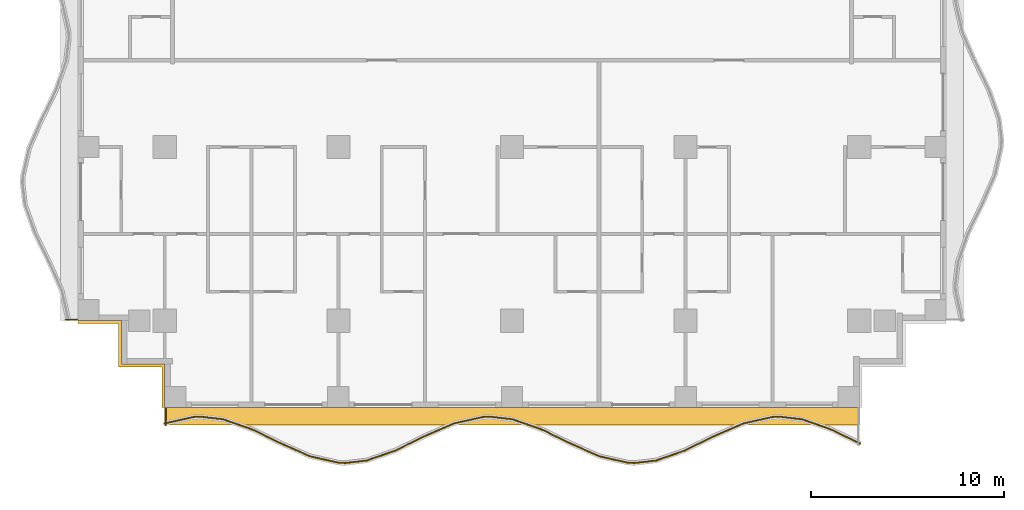
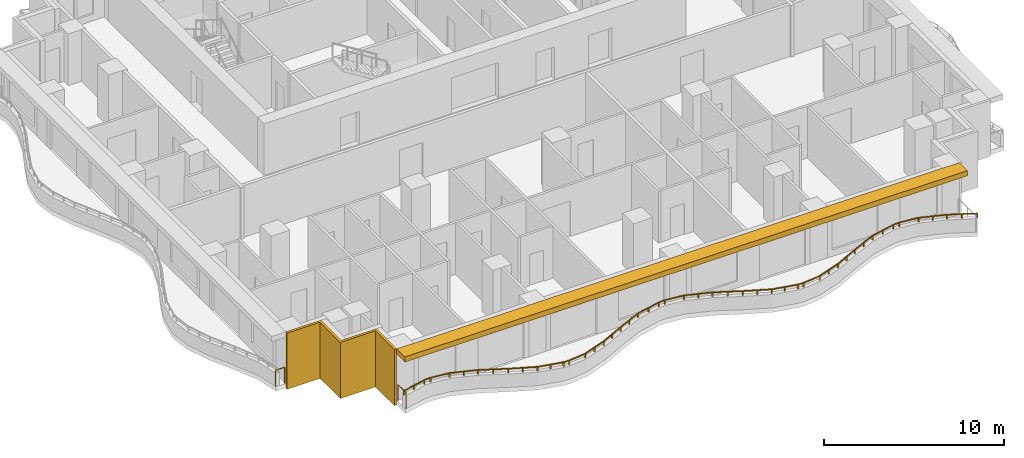
# One storey, part 7 of 10: 3 railings, 2 shading devices.
"""IFC4 building model written with IfcOpenShell, lengths in metres."""

import ifcopenshell
import ifcopenshell.guid

model = None  # the IFC model being written
_history = None  # IfcOwnerHistory: only IFC2X3 demands one
_inside = {}  # id of a spatial element -> (the spatial element, [elements in it])
_under = {}  # id of a project, library or spatial element -> (it, [spatial elements below it])
_declared = {}  # id of a project -> (the project, [libraries it declares])
_typed = {}  # id of a type object -> (the type object, [elements of that type])
_made_of = {}  # id of a material, layer set ... -> (it, [elements and type objects made of it])


def new_model(schema):
    """Start an empty IFC model of exactly this schema.

    Asked for "IFC4X3", IfcOpenShell would pick the latest addendum, in which some entities
    have other attributes; the version numbers below select the first issue.
    IFC2X3 requires an IfcOwnerHistory on every rooted entity: one is made here for all.
    """
    global model, _history
    if schema == "IFC4X3":
        model = ifcopenshell.file(schema_version=(4, 3, 0, 0))
    else:
        model = ifcopenshell.file(schema=schema)
    _inside.clear()
    _under.clear()
    _declared.clear()
    _typed.clear()
    _made_of.clear()
    _history = None
    if model.schema == "IFC2X3":
        org = make("IfcOrganization", Name="unknown")
        user = make(
            "IfcPersonAndOrganization",
            ThePerson=make("IfcPerson", FamilyName="unknown"),
            TheOrganization=org,
        )
        app = make(
            "IfcApplication",
            ApplicationDeveloper=org,
            Version="unknown",
            ApplicationFullName="unknown",
            ApplicationIdentifier="unknown",
        )
        _history = make(
            "IfcOwnerHistory",
            OwningUser=user,
            OwningApplication=app,
            ChangeAction="ADDED",
            CreationDate=0,
        )
    return model


def make(cls, **values):
    """One entity of the class cls with the attributes given. An attribute that is None is left unset."""
    return model.create_entity(
        cls, **{name: value for name, value in values.items() if value is not None}
    )


def rooted(cls, **values):
    """An entity with a GlobalId (a new one), such as an element, a storey or a relation."""
    return make(cls, GlobalId=ifcopenshell.guid.new(), OwnerHistory=_history, **values)


def si_unit(unit_type, name, prefix=None):
    """IfcSIUnit, for example si_unit("LENGTHUNIT", "METRE", prefix="MILLI")."""
    return make("IfcSIUnit", UnitType=unit_type, Prefix=prefix, Name=name)


def assignment(units):
    """IfcUnitAssignment: the units of a project."""
    return None if units is None else make("IfcUnitAssignment", Units=units)


def point(xyz):
    """IfcCartesianPoint."""
    return None if xyz is None else make("IfcCartesianPoint", Coordinates=xyz)


def direction(xyz):
    """IfcDirection."""
    return None if xyz is None else make("IfcDirection", DirectionRatios=xyz)


def frame(location, z_axis=None, x_axis=None):
    """IfcAxis2Placement3D, a coordinate frame: its origin and axes. An axis left out is left unset."""
    return make(
        "IfcAxis2Placement3D",
        Location=point(location),
        Axis=direction(z_axis),
        RefDirection=direction(x_axis),
    )


def frame_2d(location, x_axis=None):
    """IfcAxis2Placement2D, a coordinate frame in the plane: its origin and x axis."""
    return make(
        "IfcAxis2Placement2D", Location=point(location), RefDirection=direction(x_axis)
    )


def origin():
    """The frame at (0, 0, 0) with its axes left unset."""
    return frame((0.0, 0.0, 0.0))


def origin_2d():
    """The frame at (0, 0) in the plane with its x axis left unset."""
    return frame_2d((0.0, 0.0))


def place(relative_to, where):
    """IfcLocalPlacement: puts the frame where relative to a parent placement (None: the world)."""
    return make(
        "IfcLocalPlacement", PlacementRelTo=relative_to, RelativePlacement=where
    )


def context(
    kind, dimensions, precision=None, world=None, true_north=None, identifier=None
):
    """IfcGeometricRepresentationContext, for example the 3D "Model" context."""
    return make(
        "IfcGeometricRepresentationContext",
        ContextIdentifier=identifier,
        ContextType=kind,
        CoordinateSpaceDimension=dimensions,
        Precision=precision,
        WorldCoordinateSystem=world,
        TrueNorth=true_north,
    )


def subcontext(parent, identifier, kind, view, scale=None):
    """IfcGeometricRepresentationSubContext, for example "Body" below "Model"."""
    return make(
        "IfcGeometricRepresentationSubContext",
        ContextIdentifier=identifier,
        ContextType=kind,
        ParentContext=parent,
        TargetScale=scale,
        TargetView=view,
    )


def project(units=None, contexts=None):
    """IfcProject with its units and contexts."""
    return rooted(
        "IfcProject",
        Name="project",
        RepresentationContexts=contexts,
        UnitsInContext=assignment(units),
    )


def spatial(cls, under=None, at=None, **own):
    """A site, building, storey or space (cls), placed at a placement, below another one or the project."""
    s = rooted(cls, ObjectPlacement=at, **own)
    if under is not None:
        _under.setdefault(under.id(), (under, []))[1].append(s)
    return s


def polyline(points):
    """IfcPolyline through the points."""
    return make("IfcPolyline", Points=[point(p) for p in points])


def profile(cls, at=None, kind="AREA", **sizes):
    """A parametric profile (cls). Its sizes go by their IFC names, for example OverallWidth=200.0."""
    return make(cls, ProfileType=kind, Position=at, **sizes)


def rectangle(**sizes):
    """IfcRectangleProfileDef."""
    return profile("IfcRectangleProfileDef", **sizes)


def outline(outer, holes=None, kind="AREA"):
    """IfcArbitraryClosedProfileDef: a profile drawn as a closed curve; with holes, ...WithVoids."""
    if holes is None:
        return make("IfcArbitraryClosedProfileDef", ProfileType=kind, OuterCurve=outer)
    return make(
        "IfcArbitraryProfileDefWithVoids",
        ProfileType=kind,
        OuterCurve=outer,
        InnerCurves=holes,
    )


def extrude(swept, where, along, depth):
    """IfcExtrudedAreaSolid: the profile swept, set in the frame where, extruded along a direction by depth."""
    return make(
        "IfcExtrudedAreaSolid",
        SweptArea=swept,
        Position=where,
        ExtrudedDirection=direction(along),
        Depth=depth,
    )


def shape(context_of_items, identifier, shape_type, items):
    """IfcShapeRepresentation: the items that make up one representation, for example the "Body"."""
    return make(
        "IfcShapeRepresentation",
        ContextOfItems=context_of_items,
        RepresentationIdentifier=identifier,
        RepresentationType=shape_type,
        Items=items,
    )


def material(Name=None, Category=None):
    """IfcMaterial."""
    return make("IfcMaterial", Name=Name, Category=Category)


def layer(
    of_material, thickness, ventilated=None, Name=None, Category=None, Priority=None
):
    """IfcMaterialLayer: one layer of a wall or slab, of a material (None: an air gap)."""
    return make(
        "IfcMaterialLayer",
        Material=of_material,
        LayerThickness=thickness,
        IsVentilated=ventilated,
        Name=Name,
        Category=Category,
        Priority=Priority,
    )


def layer_set(layers, Name=None):
    """IfcMaterialLayerSet."""
    return make("IfcMaterialLayerSet", MaterialLayers=layers, LayerSetName=Name)


def made_of(thing, what):
    """Note that an element or type object is made of a material, layer set ...; save() writes the relation."""
    if what is not None:
        _made_of.setdefault(what.id(), (what, []))[1].append(thing)
    return thing


def type_object(cls, material=None, **own):
    """A type object (cls), such as IfcWallType, which elements share."""
    return made_of(rooted(cls, **own), material)


def element(
    cls,
    number,
    at=None,
    inside=None,
    cuts=None,
    type_object=None,
    material=None,
    context=None,
    identifier="Body",
    shape_type=None,
    held_by="IfcProductDefinitionShape",
    body=None,
    shapes=None,
    **own,
):
    """One element of the class cls, such as IfcWall. Its Tag is "e" and its number.

    at: its placement. inside: the storey or other place that contains it. cuts: it is an
    opening in that element (IfcRelVoidsElement). A single representation is given by context,
    identifier, shape_type and body (its items); several are given by shapes. held_by: the class
    of the entity that holds the representations. save() writes the other relations.
    """
    e = rooted(cls, Tag="e%d" % number, ObjectPlacement=at, **own)
    if body is not None:
        shapes = [shape(context, identifier, shape_type, body)]
    if shapes is not None:
        e.Representation = make(held_by, Representations=shapes)
    if inside is not None:
        _inside.setdefault(inside.id(), (inside, []))[1].append(e)
    if cuts is not None:
        rooted(
            "IfcRelVoidsElement", RelatingBuildingElement=cuts, RelatedOpeningElement=e
        )
    if type_object is not None:
        _typed.setdefault(type_object.id(), (type_object, []))[1].append(e)
    return made_of(e, material)


def aggregate(whole, parts):
    """IfcRelAggregates: a whole, such as a stair, and the parts it consists of."""
    return rooted("IfcRelAggregates", RelatingObject=whole, RelatedObjects=parts)


def save(model, path):
    """Write the relations noted so far, then the file.

    IfcRelAggregates (storeys below a building ...), IfcRelContainedInSpatialStructure (elements
    in a storey), IfcRelDefinesByType, IfcRelAssociatesMaterial and IfcRelDeclares: one each for
    every whole, place, type object, material and project.
    """
    for whole, parts in _under.values():
        aggregate(whole, parts)
    for where, things in _inside.values():
        rooted(
            "IfcRelContainedInSpatialStructure",
            RelatedElements=things,
            RelatingStructure=where,
        )
    for kind, things in _typed.values():
        rooted("IfcRelDefinesByType", RelatedObjects=things, RelatingType=kind)
    for what, things in _made_of.values():
        rooted("IfcRelAssociatesMaterial", RelatedObjects=things, RelatingMaterial=what)
    for by, libraries in _declared.values():
        rooted("IfcRelDeclares", RelatingContext=by, RelatedDefinitions=libraries)
    model.write(path)


model = new_model("IFC4")

# Units and contexts
model_context = context("Model", 3, precision=1e-05, world=origin(), true_north=direction((0.0, 1.0)))
body_context = subcontext(model_context, "Body", "Model", "MODEL_VIEW")
ifc_project = project(units=[si_unit("LENGTHUNIT", "METRE"), si_unit("AREAUNIT", "SQUARE_METRE"), si_unit("VOLUMEUNIT", "CUBIC_METRE"), si_unit("PLANEANGLEUNIT", "RADIAN"), si_unit("MASSUNIT", "GRAM", prefix="KILO")], contexts=[model_context])

# Site, building, storey
site_placement = place(None, origin())
site = spatial("IfcSite", under=ifc_project, at=site_placement, CompositionType="ELEMENT")
building_placement = place(site_placement, origin())
building = spatial("IfcBuilding", under=site, at=building_placement, Name="Orbiselva Terraces", CompositionType="ELEMENT")
storey_placement = place(building_placement, frame((0.0, 0.0, 163.0)))
storey = spatial("IfcBuildingStorey", under=building, at=storey_placement, Name="L41", CompositionType="ELEMENT", Elevation=163.0)

# Railings
ifc_material_1 = material(Name="Bonded two-ply safety glass balustrade, stainless steel posts", Category="steel")
railing_type_1 = type_object("IfcRailingType", Name="ENV-BALUSTRADE-1200", PredefinedType="BALUSTRADE", material=ifc_material_1)
railing_1_placement = place(storey_placement, frame((-18.027377, -18.829507, 0.9)))
element("IfcRailing", 1, at=railing_1_placement, inside=storey, type_object=railing_type_1, Name="Balcony balustrade L41 S", PredefinedType="BALUSTRADE", context=body_context, shape_type="SweptSolid", body=[
    extrude(outline(polyline([(0.028868, 0.0), (0.014434, 0.025), (-0.014434, 0.025), (-0.028868, 0.0), (-0.014434, -0.025), (0.014434, -0.025), (0.028868, 0.0)])), frame((0.0, 0.0, 0.275), z_axis=(0.97572138316, 0.219015484484, 0.0), x_axis=(-0.219015484484, 0.97572138316, 0.0)), (0.0, 0.0, 1.0), 1.548694),
    extrude(outline(polyline([(0.028868, 0.0), (0.014434, 0.025), (-0.014434, 0.025), (-0.028868, 0.0), (-0.014434, -0.025), (0.014434, -0.025), (0.028868, 0.0)])), frame((1.511094, 0.339188, 0.275), z_axis=(0.999224734286, 0.03936915532, 0.0), x_axis=(-0.03936915532, 0.999224734286, 0.0)), (0.0, 0.0, 1.0), 0.396376),
    extrude(outline(polyline([(0.028868, 0.0), (0.014434, 0.025), (-0.014434, 0.025), (-0.028868, 0.0), (-0.014434, -0.025), (0.014434, -0.025), (0.028868, 0.0)])), frame((1.907163, 0.354793, 0.275), z_axis=(0.993309551734, -0.115482182324, 0.0), x_axis=(0.115482182324, 0.993309551734, 0.0)), (0.0, 0.0, 1.0), 1.156135),
    extrude(outline(polyline([(0.028868, 0.0), (0.014434, 0.025), (-0.014434, 0.025), (-0.028868, 0.0), (-0.014434, -0.025), (0.014434, -0.025), (0.028868, 0.0)])), frame((3.055563, 0.22128, 0.275), z_axis=(0.943972332783, -0.330024597479, 0.0), x_axis=(0.330024597479, 0.943972332783, 0.0)), (0.0, 0.0, 1.0), 1.610253),
    extrude(outline(polyline([(0.028868, 0.0), (0.014434, 0.025), (-0.014434, 0.025), (-0.028868, 0.0), (-0.014434, -0.025), (0.014434, -0.025), (0.028868, 0.0)])), frame((4.575597, -0.310143, 0.275), z_axis=(0.898578870221, -0.438812048596, 0.0), x_axis=(0.438812048596, 0.898578870221, 0.0)), (0.0, 0.0, 1.0), 1.674225),
    extrude(outline(polyline([(0.028868, 0.0), (0.014434, 0.025), (-0.014434, 0.025), (-0.028868, 0.0), (-0.014434, -0.025), (0.014434, -0.025), (0.028868, 0.0)])), frame((6.08002, -1.044813, 0.275), z_axis=(0.915133363686, -0.403151245402, 0.0), x_axis=(0.403151245402, 0.915133363686, 0.0)), (0.0, 0.0, 1.0), 1.624475),
    extrude(outline(polyline([(0.028868, 0.0), (0.014434, 0.025), (-0.014434, 0.025), (-0.028868, 0.0), (-0.014434, -0.025), (0.014434, -0.025), (0.028868, 0.0)])), frame((7.566631, -1.699722, 0.275), z_axis=(0.975721325753, -0.219015740235, 0.0), x_axis=(0.219015740235, 0.975721325753, 0.0)), (0.0, 0.0, 1.0), 1.513782),
    extrude(outline(polyline([(0.028868, 0.0), (0.014434, 0.025), (-0.014434, 0.025), (-0.028868, 0.0), (-0.014434, -0.025), (0.014434, -0.025), (0.028868, 0.0)])), frame((9.04366, -2.031264, 0.275), z_axis=(0.999224931454, -0.039364150694, 0.0), x_axis=(0.039364150694, 0.999224931454, 0.0)), (0.0, 0.0, 1.0), 0.354206),
    extrude(outline(polyline([(0.028868, 0.0), (0.014434, 0.025), (-0.014434, 0.025), (-0.028868, 0.0), (-0.014434, -0.025), (0.014434, -0.025), (0.028868, 0.0)])), frame((9.397591, -2.045207, 0.275), z_axis=(0.993309658409, 0.115481264762, 0.0), x_axis=(-0.115481264762, 0.993309658409, 0.0)), (0.0, 0.0, 1.0), 1.10902),
    extrude(outline(polyline([(0.028868, 0.0), (0.014434, 0.025), (-0.014434, 0.025), (-0.028868, 0.0), (-0.014434, -0.025), (0.014434, -0.025), (0.028868, 0.0)])), frame((10.499191, -1.917136, 0.275), z_axis=(0.943972277814, 0.330024754707, 0.0), x_axis=(-0.330024754707, 0.943972277814, 0.0)), (0.0, 0.0, 1.0), 1.567807),
    extrude(outline(polyline([(0.028868, 0.0), (0.014434, 0.025), (-0.014434, 0.025), (-0.028868, 0.0), (-0.014434, -0.025), (0.014434, -0.025), (0.028868, 0.0)])), frame((11.979157, -1.399721, 0.275), z_axis=(0.89857890432, 0.438811978768, 0.0), x_axis=(-0.438811978768, 0.89857890432, 0.0)), (0.0, 0.0, 1.0), 1.66438),
    extrude(outline(polyline([(0.028868, 0.0), (0.014434, 0.025), (-0.014434, 0.025), (-0.028868, 0.0), (-0.014434, -0.025), (0.014434, -0.025), (0.028868, 0.0)])), frame((13.474734, -0.669371, 0.275), z_axis=(0.915133527237, 0.403150874148, 0.0), x_axis=(-0.403150874148, 0.915133527237, 0.0)), (0.0, 0.0, 1.0), 1.653736),
    extrude(outline(polyline([(0.028868, 0.0), (0.014434, 0.025), (-0.014434, 0.025), (-0.028868, 0.0), (-0.014434, -0.025), (0.014434, -0.025), (0.028868, 0.0)])), frame((14.988123, -0.002666, 0.275), z_axis=(0.97572137947, 0.219015500924, 0.0), x_axis=(-0.219015500924, 0.97572137947, 0.0)), (0.0, 0.0, 1.0), 1.560867),
    extrude(outline(polyline([(0.028868, 0.0), (0.014434, 0.025), (-0.014434, 0.025), (-0.028868, 0.0), (-0.014434, -0.025), (0.014434, -0.025), (0.028868, 0.0)])), frame((16.511094, 0.339188, 0.275), z_axis=(0.999224734286, 0.03936915532, 0.0), x_axis=(-0.03936915532, 0.999224734286, 0.0)), (0.0, 0.0, 1.0), 0.396376),
    extrude(outline(polyline([(0.028868, 0.0), (0.014434, 0.025), (-0.014434, 0.025), (-0.028868, 0.0), (-0.014434, -0.025), (0.014434, -0.025), (0.028868, 0.0)])), frame((16.907163, 0.354793, 0.275), z_axis=(0.993309551734, -0.115482182324, 0.0), x_axis=(0.115482182324, 0.993309551734, 0.0)), (0.0, 0.0, 1.0), 1.156135),
    extrude(outline(polyline([(0.028868, 0.0), (0.014434, 0.025), (-0.014434, 0.025), (-0.028868, 0.0), (-0.014434, -0.025), (0.014434, -0.025), (0.028868, 0.0)])), frame((18.055563, 0.22128, 0.275), z_axis=(0.943972332783, -0.330024597479, 0.0), x_axis=(0.330024597479, 0.943972332783, 0.0)), (0.0, 0.0, 1.0), 1.610253),
    extrude(outline(polyline([(0.028868, 0.0), (0.014434, 0.025), (-0.014434, 0.025), (-0.028868, 0.0), (-0.014434, -0.025), (0.014434, -0.025), (0.028868, 0.0)])), frame((19.575597, -0.310143, 0.275), z_axis=(0.898578870221, -0.438812048596, 0.0), x_axis=(0.438812048596, 0.898578870221, 0.0)), (0.0, 0.0, 1.0), 1.674225),
    extrude(outline(polyline([(0.028868, 0.0), (0.014434, 0.025), (-0.014434, 0.025), (-0.028868, 0.0), (-0.014434, -0.025), (0.014434, -0.025), (0.028868, 0.0)])), frame((21.08002, -1.044813, 0.275), z_axis=(0.915133363686, -0.403151245402, 0.0), x_axis=(0.403151245402, 0.915133363686, 0.0)), (0.0, 0.0, 1.0), 1.624475),
    extrude(outline(polyline([(0.028868, 0.0), (0.014434, 0.025), (-0.014434, 0.025), (-0.028868, 0.0), (-0.014434, -0.025), (0.014434, -0.025), (0.028868, 0.0)])), frame((22.566631, -1.699722, 0.275), z_axis=(0.975721325753, -0.219015740235, 0.0), x_axis=(0.219015740235, 0.975721325753, 0.0)), (0.0, 0.0, 1.0), 1.513782),
    extrude(outline(polyline([(0.028868, 0.0), (0.014434, 0.025), (-0.014434, 0.025), (-0.028868, 0.0), (-0.014434, -0.025), (0.014434, -0.025), (0.028868, 0.0)])), frame((24.04366, -2.031264, 0.275), z_axis=(0.999224931454, -0.039364150694, 0.0), x_axis=(0.039364150694, 0.999224931454, 0.0)), (0.0, 0.0, 1.0), 0.354206),
    extrude(outline(polyline([(0.028868, 0.0), (0.014434, 0.025), (-0.014434, 0.025), (-0.028868, 0.0), (-0.014434, -0.025), (0.014434, -0.025), (0.028868, 0.0)])), frame((24.397591, -2.045207, 0.275), z_axis=(0.993309658409, 0.115481264762, 0.0), x_axis=(-0.115481264762, 0.993309658409, 0.0)), (0.0, 0.0, 1.0), 1.10902),
    extrude(outline(polyline([(0.028868, 0.0), (0.014434, 0.025), (-0.014434, 0.025), (-0.028868, 0.0), (-0.014434, -0.025), (0.014434, -0.025), (0.028868, 0.0)])), frame((25.499191, -1.917136, 0.275), z_axis=(0.943972277814, 0.330024754707, 0.0), x_axis=(-0.330024754707, 0.943972277814, 0.0)), (0.0, 0.0, 1.0), 1.567807),
    extrude(outline(polyline([(0.028868, 0.0), (0.014434, 0.025), (-0.014434, 0.025), (-0.028868, 0.0), (-0.014434, -0.025), (0.014434, -0.025), (0.028868, 0.0)])), frame((26.979157, -1.399721, 0.275), z_axis=(0.89857890432, 0.438811978768, 0.0), x_axis=(-0.438811978768, 0.89857890432, 0.0)), (0.0, 0.0, 1.0), 1.66438),
    extrude(outline(polyline([(0.028868, 0.0), (0.014434, 0.025), (-0.014434, 0.025), (-0.028868, 0.0), (-0.014434, -0.025), (0.014434, -0.025), (0.028868, 0.0)])), frame((28.474734, -0.669371, 0.275), z_axis=(0.915133527237, 0.403150874148, 0.0), x_axis=(-0.403150874148, 0.915133527237, 0.0)), (0.0, 0.0, 1.0), 1.653736),
    extrude(outline(polyline([(0.028868, 0.0), (0.014434, 0.025), (-0.014434, 0.025), (-0.028868, 0.0), (-0.014434, -0.025), (0.014434, -0.025), (0.028868, 0.0)])), frame((29.988123, -0.002666, 0.275), z_axis=(0.97572137947, 0.219015500924, 0.0), x_axis=(-0.219015500924, 0.97572137947, 0.0)), (0.0, 0.0, 1.0), 1.560867),
    extrude(outline(polyline([(0.028868, 0.0), (0.014434, 0.025), (-0.014434, 0.025), (-0.028868, 0.0), (-0.014434, -0.025), (0.014434, -0.025), (0.028868, 0.0)])), frame((31.511094, 0.339188, 0.275), z_axis=(0.999224734286, 0.03936915532, 0.0), x_axis=(-0.03936915532, 0.999224734286, 0.0)), (0.0, 0.0, 1.0), 0.396376),
    extrude(outline(polyline([(0.028868, 0.0), (0.014434, 0.025), (-0.014434, 0.025), (-0.028868, 0.0), (-0.014434, -0.025), (0.014434, -0.025), (0.028868, 0.0)])), frame((31.907163, 0.354793, 0.275), z_axis=(0.993309551734, -0.115482182324, 0.0), x_axis=(0.115482182324, 0.993309551734, 0.0)), (0.0, 0.0, 1.0), 1.156135),
    extrude(outline(polyline([(0.028868, 0.0), (0.014434, 0.025), (-0.014434, 0.025), (-0.028868, 0.0), (-0.014434, -0.025), (0.014434, -0.025), (0.028868, 0.0)])), frame((33.055563, 0.22128, 0.275), z_axis=(0.943972332783, -0.330024597479, 0.0), x_axis=(0.330024597479, 0.943972332783, 0.0)), (0.0, 0.0, 1.0), 1.610253),
    extrude(outline(polyline([(0.028868, 0.0), (0.014434, 0.025), (-0.014434, 0.025), (-0.028868, 0.0), (-0.014434, -0.025), (0.014434, -0.025), (0.028868, 0.0)])), frame((34.575597, -0.310143, 0.275), z_axis=(0.898578809821, -0.43881217228, 0.0), x_axis=(0.43881217228, 0.898578809821, 0.0)), (0.0, 0.0, 1.0), 1.676683),
    extrude(rectangle(XDim=0.05, YDim=0.05, at=origin_2d()), origin(), (0.0, 0.0, 1.0), 0.25),
    extrude(rectangle(XDim=0.05, YDim=0.05, at=origin_2d()), frame((0.755547, 0.169594, 0.0)), (0.0, 0.0, 1.0), 0.25),
    extrude(rectangle(XDim=0.05, YDim=0.05, at=origin_2d()), frame((1.511094, 0.339188, 0.0)), (0.0, 0.0, 1.0), 0.25),
    extrude(rectangle(XDim=0.05, YDim=0.05, at=origin_2d()), frame((1.907163, 0.354793, 0.0)), (0.0, 0.0, 1.0), 0.25),
    extrude(rectangle(XDim=0.05, YDim=0.05, at=origin_2d()), frame((3.055563, 0.22128, 0.0)), (0.0, 0.0, 1.0), 0.25),
    extrude(rectangle(XDim=0.05, YDim=0.05, at=origin_2d()), frame((3.81558, -0.044431, 0.0)), (0.0, 0.0, 1.0), 0.25),
    extrude(rectangle(XDim=0.05, YDim=0.05, at=origin_2d()), frame((4.575597, -0.310143, 0.0)), (0.0, 0.0, 1.0), 0.25),
    extrude(rectangle(XDim=0.05, YDim=0.05, at=origin_2d()), frame((5.327809, -0.677478, 0.0)), (0.0, 0.0, 1.0), 0.25),
    extrude(rectangle(XDim=0.05, YDim=0.05, at=origin_2d()), frame((6.08002, -1.044813, 0.0)), (0.0, 0.0, 1.0), 0.25),
    extrude(rectangle(XDim=0.05, YDim=0.05, at=origin_2d()), frame((6.823326, -1.372268, 0.0)), (0.0, 0.0, 1.0), 0.25),
    extrude(rectangle(XDim=0.05, YDim=0.05, at=origin_2d()), frame((7.566631, -1.699722, 0.0)), (0.0, 0.0, 1.0), 0.25),
    extrude(rectangle(XDim=0.05, YDim=0.05, at=origin_2d()), frame((8.305146, -1.865493, 0.0)), (0.0, 0.0, 1.0), 0.25),
    extrude(rectangle(XDim=0.05, YDim=0.05, at=origin_2d()), frame((9.04366, -2.031264, 0.0)), (0.0, 0.0, 1.0), 0.25),
    extrude(rectangle(XDim=0.05, YDim=0.05, at=origin_2d()), frame((9.397591, -2.045207, 0.0)), (0.0, 0.0, 1.0), 0.25),
    extrude(rectangle(XDim=0.05, YDim=0.05, at=origin_2d()), frame((10.499191, -1.917136, 0.0)), (0.0, 0.0, 1.0), 0.25),
    extrude(rectangle(XDim=0.05, YDim=0.05, at=origin_2d()), frame((11.239174, -1.658428, 0.0)), (0.0, 0.0, 1.0), 0.25),
    extrude(rectangle(XDim=0.05, YDim=0.05, at=origin_2d()), frame((11.979157, -1.399721, 0.0)), (0.0, 0.0, 1.0), 0.25),
    extrude(rectangle(XDim=0.05, YDim=0.05, at=origin_2d()), frame((12.726946, -1.034546, 0.0)), (0.0, 0.0, 1.0), 0.25),
    extrude(rectangle(XDim=0.05, YDim=0.05, at=origin_2d()), frame((13.474734, -0.669371, 0.0)), (0.0, 0.0, 1.0), 0.25),
    extrude(rectangle(XDim=0.05, YDim=0.05, at=origin_2d()), frame((14.231429, -0.336019, 0.0)), (0.0, 0.0, 1.0), 0.25),
    extrude(rectangle(XDim=0.05, YDim=0.05, at=origin_2d()), frame((14.988123, -0.002666, 0.0)), (0.0, 0.0, 1.0), 0.25),
    extrude(rectangle(XDim=0.05, YDim=0.05, at=origin_2d()), frame((15.749608, 0.168261, 0.0)), (0.0, 0.0, 1.0), 0.25),
    extrude(rectangle(XDim=0.05, YDim=0.05, at=origin_2d()), frame((16.511094, 0.339188, 0.0)), (0.0, 0.0, 1.0), 0.25),
    extrude(rectangle(XDim=0.05, YDim=0.05, at=origin_2d()), frame((16.907163, 0.354793, 0.0)), (0.0, 0.0, 1.0), 0.25),
    extrude(rectangle(XDim=0.05, YDim=0.05, at=origin_2d()), frame((18.055563, 0.22128, 0.0)), (0.0, 0.0, 1.0), 0.25),
    extrude(rectangle(XDim=0.05, YDim=0.05, at=origin_2d()), frame((18.81558, -0.044431, 0.0)), (0.0, 0.0, 1.0), 0.25),
    extrude(rectangle(XDim=0.05, YDim=0.05, at=origin_2d()), frame((19.575597, -0.310143, 0.0)), (0.0, 0.0, 1.0), 0.25),
    extrude(rectangle(XDim=0.05, YDim=0.05, at=origin_2d()), frame((20.327809, -0.677478, 0.0)), (0.0, 0.0, 1.0), 0.25),
    extrude(rectangle(XDim=0.05, YDim=0.05, at=origin_2d()), frame((21.08002, -1.044813, 0.0)), (0.0, 0.0, 1.0), 0.25),
    extrude(rectangle(XDim=0.05, YDim=0.05, at=origin_2d()), frame((21.823326, -1.372268, 0.0)), (0.0, 0.0, 1.0), 0.25),
    extrude(rectangle(XDim=0.05, YDim=0.05, at=origin_2d()), frame((22.566631, -1.699722, 0.0)), (0.0, 0.0, 1.0), 0.25),
    extrude(rectangle(XDim=0.05, YDim=0.05, at=origin_2d()), frame((23.305146, -1.865493, 0.0)), (0.0, 0.0, 1.0), 0.25),
    extrude(rectangle(XDim=0.05, YDim=0.05, at=origin_2d()), frame((24.04366, -2.031264, 0.0)), (0.0, 0.0, 1.0), 0.25),
    extrude(rectangle(XDim=0.05, YDim=0.05, at=origin_2d()), frame((24.397591, -2.045207, 0.0)), (0.0, 0.0, 1.0), 0.25),
    extrude(rectangle(XDim=0.05, YDim=0.05, at=origin_2d()), frame((25.499191, -1.917136, 0.0)), (0.0, 0.0, 1.0), 0.25),
    extrude(rectangle(XDim=0.05, YDim=0.05, at=origin_2d()), frame((26.239174, -1.658428, 0.0)), (0.0, 0.0, 1.0), 0.25),
    extrude(rectangle(XDim=0.05, YDim=0.05, at=origin_2d()), frame((26.979157, -1.399721, 0.0)), (0.0, 0.0, 1.0), 0.25),
    extrude(rectangle(XDim=0.05, YDim=0.05, at=origin_2d()), frame((27.726946, -1.034546, 0.0)), (0.0, 0.0, 1.0), 0.25),
    extrude(rectangle(XDim=0.05, YDim=0.05, at=origin_2d()), frame((28.474734, -0.669371, 0.0)), (0.0, 0.0, 1.0), 0.25),
    extrude(rectangle(XDim=0.05, YDim=0.05, at=origin_2d()), frame((29.231428, -0.336019, 0.0)), (0.0, 0.0, 1.0), 0.25),
    extrude(rectangle(XDim=0.05, YDim=0.05, at=origin_2d()), frame((29.988123, -0.002666, 0.0)), (0.0, 0.0, 1.0), 0.25),
    extrude(rectangle(XDim=0.05, YDim=0.05, at=origin_2d()), frame((30.749608, 0.168261, 0.0)), (0.0, 0.0, 1.0), 0.25),
    extrude(rectangle(XDim=0.05, YDim=0.05, at=origin_2d()), frame((31.511094, 0.339188, 0.0)), (0.0, 0.0, 1.0), 0.25),
    extrude(rectangle(XDim=0.05, YDim=0.05, at=origin_2d()), frame((31.907163, 0.354793, 0.0)), (0.0, 0.0, 1.0), 0.25),
    extrude(rectangle(XDim=0.05, YDim=0.05, at=origin_2d()), frame((33.055563, 0.22128, 0.0)), (0.0, 0.0, 1.0), 0.25),
    extrude(rectangle(XDim=0.05, YDim=0.05, at=origin_2d()), frame((33.81558, -0.044431, 0.0)), (0.0, 0.0, 1.0), 0.25),
    extrude(rectangle(XDim=0.05, YDim=0.05, at=origin_2d()), frame((34.575597, -0.310143, 0.0)), (0.0, 0.0, 1.0), 0.25),
    extrude(rectangle(XDim=0.05, YDim=0.05, at=origin_2d()), frame((35.328913, -0.678018, 0.0)), (0.0, 0.0, 1.0), 0.25),
    extrude(rectangle(XDim=0.05, YDim=0.05, at=origin_2d()), frame((36.082229, -1.045892, 0.0)), (0.0, 0.0, 1.0), 0.25),
])
ifc_material_2 = material(Name="Stainless steel rail and posts", Category="steel")
railing_type_2 = type_object("IfcRailingType", Name="ENV-GUARD-1105", PredefinedType="BALUSTRADE", material=ifc_material_2)
railing_2_placement = place(storey_placement, frame((-17.94, -18.930416, 0.0)))
element("IfcRailing", 2, at=railing_2_placement, inside=storey, type_object=railing_type_2, Name="Balcony end guard L41 S", PredefinedType="BALUSTRADE", context=body_context, shape_type="SweptSolid", body=[
    extrude(outline(polyline([(0.028868, 0.0), (0.014434, 0.025), (-0.014434, 0.025), (-0.028868, 0.0), (-0.014434, -0.025), (0.014434, -0.025), (0.028868, 0.0)])), frame((0.0, 0.0, 1.08), z_axis=(0.0, 1.0, 0.0), x_axis=(-1.0, 0.0, 0.0)), (0.0, 0.0, 1.0), 0.905416),
    extrude(rectangle(XDim=0.05, YDim=0.05, at=origin_2d()), origin(), (0.0, 0.0, 1.0), 1.055),
    extrude(rectangle(XDim=0.05, YDim=0.05, at=origin_2d()), frame((0.0, 0.905416, 0.0)), (0.0, 0.0, 1.0), 1.055),
])
railing_3_placement = place(storey_placement, frame((-23.119866, -13.44, 0.0)))
element("IfcRailing", 3, at=railing_3_placement, inside=storey, type_object=railing_type_2, Name="Balcony end guard L41 W", PredefinedType="BALUSTRADE", context=body_context, shape_type="SweptSolid", body=[
    extrude(outline(polyline([(0.028868, 0.0), (0.014434, 0.025), (-0.014434, 0.025), (-0.028868, 0.0), (-0.014434, -0.025), (0.014434, -0.025), (0.028868, 0.0)])), frame((0.0, 0.0, 1.08), z_axis=(1.0, 0.0, 0.0), x_axis=(0.0, 1.0, 0.0)), (0.0, 0.0, 1.0), 0.594866),
    extrude(rectangle(XDim=0.05, YDim=0.05, at=origin_2d()), origin(), (0.0, 0.0, 1.0), 1.055),
    extrude(rectangle(XDim=0.05, YDim=0.05, at=origin_2d()), frame((0.594866, 0.0, 0.0)), (0.0, 0.0, 1.0), 1.055),
])

# Shading devices
ifc_material_3 = material(Name="Terracotta louvre screen", Category="masonry")
ifc_layer_1 = layer(ifc_material_3, 0.15)
ifc_layer_set_1 = layer_set([ifc_layer_1], Name="Terracotta louvre screen")
shading_device_type_1 = type_object("IfcShadingDeviceType", Name="ENV-SCREEN-150", PredefinedType="USERDEFINED", material=ifc_layer_set_1)
shading_device_1_placement = place(storey_placement, frame((0.0, 0.0, -0.3)))
element("IfcShadingDevice", 4, at=shading_device_1_placement, inside=storey, type_object=shading_device_type_1, Name="Louvre screen L41 SW", ObjectType="SCREEN", PredefinedType="USERDEFINED", context=body_context, shape_type="SweptSolid", body=[
    extrude(outline(polyline([(-22.5, -13.65), (-20.4, -13.65), (-20.4, -15.9), (-18.15, -15.9), (-18.15, -18.0), (-18.0, -18.0), (-18.0, -15.75), (-20.25, -15.75), (-20.25, -13.5), (-22.5, -13.5), (-22.5, -13.65)])), origin(), (0.0, 0.0, 1.0), 3.8),
])
ifc_material_4 = material(Name="Terracotta baguette sunshade", Category="masonry")
ifc_layer_2 = layer(ifc_material_4, 0.35)
ifc_layer_set_2 = layer_set([ifc_layer_2], Name="Terracotta baguette sunshade")
shading_device_type_2 = type_object("IfcShadingDeviceType", Name="ENV-SUNSHADE-900x350", PredefinedType="USERDEFINED", material=ifc_layer_set_2)
shading_device_2_placement = place(storey_placement, frame((0.0, 0.0, 3.15)))
element("IfcShadingDevice", 5, at=shading_device_2_placement, inside=storey, type_object=shading_device_type_2, Name="Sunshade band L41 S", ObjectType="SUNSHADE", PredefinedType="USERDEFINED", context=body_context, shape_type="SweptSolid", body=[
    extrude(outline(polyline([(-18.0, -18.9), (18.0, -18.9), (18.0, -18.0), (-18.0, -18.0), (-18.0, -18.9)])), origin(), (0.0, 0.0, 1.0), 0.35),
])

save(model, "model.ifc")
